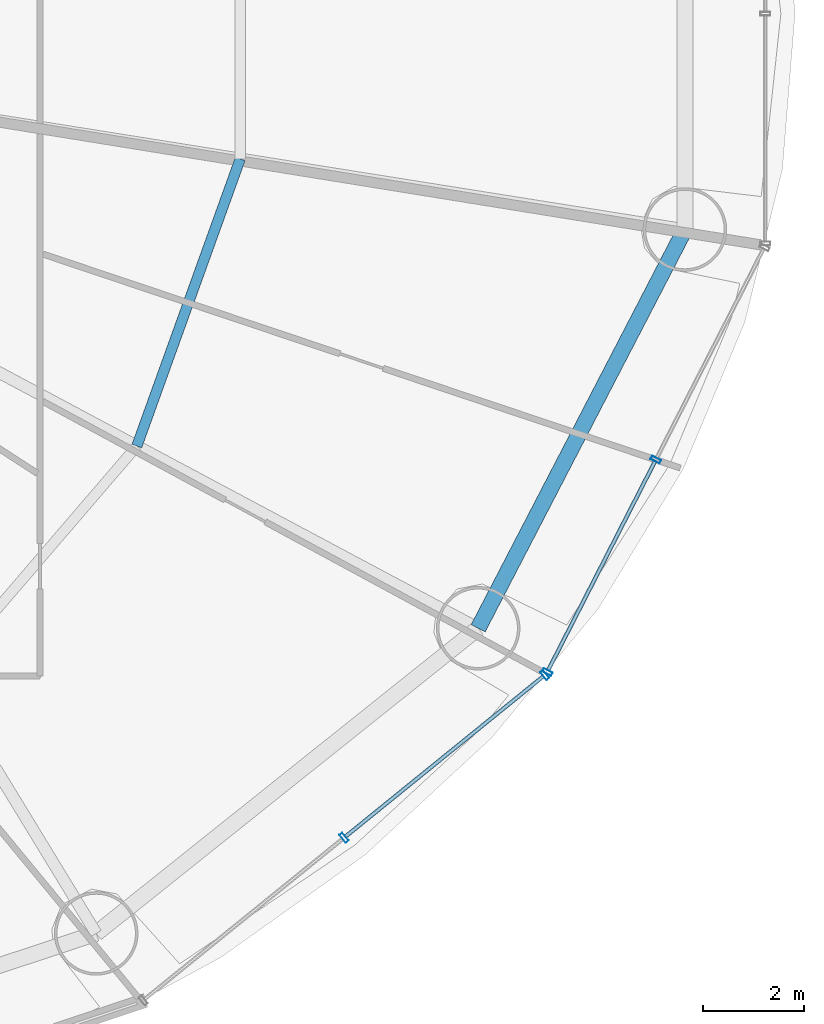
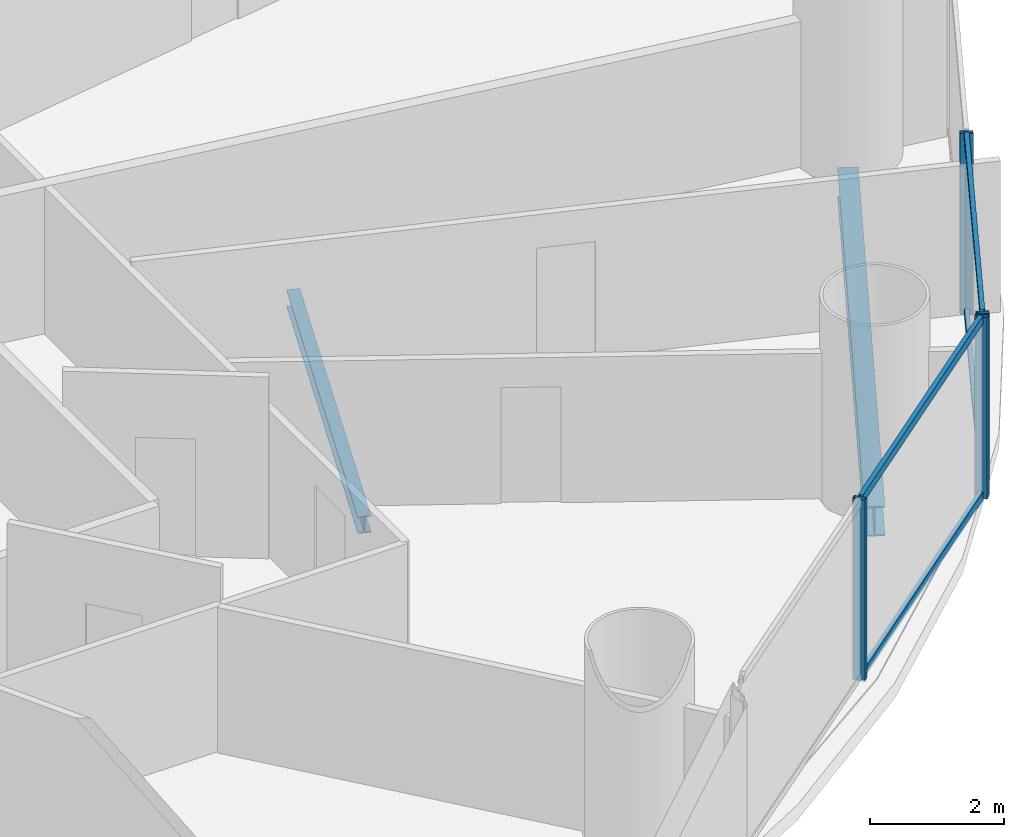
# One storey, part 12 of 30: 8 members, 2 beams, 2 elements without a shape of their own.
"""IFC4 building model written with IfcOpenShell, lengths in metres."""

from ifc_helpers import new_model, si_unit, direction, frame, origin, origin_2d, place, context, subcontext, project, spatial, hollow_rectangle, i_section, extrude, source, transform, mapped, material, material_profile, profile_set, type_object, element, aggregate, save


model = new_model("IFC4")

# Units and contexts
model_context = context("Model", 3, precision=1e-05, world=origin(), true_north=direction((-0.2419218956, 0.970295726276)))
body_context = subcontext(model_context, "Body", "Model", "MODEL_VIEW")
ifc_project = project(units=[si_unit("LENGTHUNIT", "METRE"), si_unit("AREAUNIT", "SQUARE_METRE"), si_unit("VOLUMEUNIT", "CUBIC_METRE"), si_unit("PLANEANGLEUNIT", "RADIAN"), si_unit("MASSUNIT", "GRAM", prefix="KILO")], contexts=[model_context])

# Site, building, storey
site_placement = place(None, origin())
site = spatial("IfcSite", under=ifc_project, at=site_placement, CompositionType="ELEMENT")
building_placement = place(site_placement, origin())
building = spatial("IfcBuilding", under=site, at=building_placement, Name="Cobrevalo Terracotta Tower", CompositionType="ELEMENT")
storey_placement = place(building_placement, frame((0.0, 0.0, 31.199951171875)))
storey = spatial("IfcBuildingStorey", under=building, at=storey_placement, Name="L07", CompositionType="ELEMENT", Elevation=31.199951171875)

# Beams
ifc_material_1 = material(Name="Steel S355", Category="steel")
ifc_material_profile_1 = material_profile(ifc_material_1, i_section(OverallWidth=0.2041015625, OverallDepth=0.305908203125, WebThickness=0.008544921875, FlangeThickness=0.0146484375, at=origin_2d()), Name="W 310x67")
ifc_profile_set_1 = profile_set([ifc_material_profile_1], Name="Steel S355")
beam_type_1 = type_object("IfcBeamType", Name="Structural Joist W 310x67 (Steel S355)", PredefinedType="JOIST", material=ifc_profile_set_1)
beam_1_placement = place(storey_placement, frame((53.997802734375, 18.26025390625, -0.432861328125), z_axis=(0.338672151116, 0.940904444701, 0.0), x_axis=(-0.940904444701, 0.338672151116, 0.0)))
element("IfcBeam", 1, at=beam_1_placement, inside=storey, type_object=beam_type_1, Name="L07 circumferential secondary floor joist 15", PredefinedType="JOIST", context=body_context, shape_type="SweptSolid", body=[
    extrude(i_section(OverallWidth=0.2041015625, OverallDepth=0.305908203125, WebThickness=0.008544921875, FlangeThickness=0.0146484375, at=origin_2d()), origin(), (0.0, 0.0, 1.0), 6.029296875),
])
ifc_material_profile_2 = material_profile(ifc_material_1, i_section(OverallWidth=0.31201171875, OverallDepth=0.54296875, WebThickness=0.0126953125, FlangeThickness=0.020263671875, at=origin_2d()), Name="W 530x150")
ifc_profile_set_2 = profile_set([ifc_material_profile_2], Name="Steel S355")
beam_type_2 = type_object("IfcBeamType", Name="Structural Spandrel W 530x150 (Steel S355)", PredefinedType="SPANDREL", material=ifc_profile_set_2)
beam_2_placement = place(storey_placement, frame((60.74072265625, 14.660888671875, -0.551513671875), z_axis=(0.460285838799, 0.88777077368, 0.0), x_axis=(-0.88777077368, 0.460285838799, 0.0)))
element("IfcBeam", 2, at=beam_2_placement, inside=storey, type_object=beam_type_2, Name="L07 perimeter ring spandrel 15", PredefinedType="SPANDREL", context=body_context, shape_type="SweptSolid", body=[
    extrude(i_section(OverallWidth=0.31201171875, OverallDepth=0.54296875, WebThickness=0.0126953125, FlangeThickness=0.020263671875, at=origin_2d()), origin(), (0.0, 0.0, 1.0), 8.8720703125),
])

# Curtain wall, members
ifc_material_2 = material(Name="Anodized aluminium", Category="aluminium")
curtain_wall_type = type_object("IfcCurtainWallType", Name="Lower-tower unitised acoustic low-E curtain wall CW-U1", PredefinedType="NOTDEFINED", material=ifc_material_2)
curtain_wall_1_placement = place(storey_placement, origin())
curtain_wall_1 = element("IfcCurtainWall", 3, at=curtain_wall_1_placement, inside=storey, type_object=curtain_wall_type, Name="L07 curtain wall CW-L07-S14", PredefinedType="NOTDEFINED")
ifc_material_profile_3 = material_profile(ifc_material_2, hollow_rectangle(XDim=0.074951171875, YDim=0.199951171875, WallThickness=0.0048828125, at=origin_2d()), Name="CWM 75x200")
ifc_profile_set_3 = profile_set([ifc_material_profile_3], Name="Anodized aluminium")
member_type_1 = type_object("IfcMemberType", Name="Lower/mid tower unitised mullion 75x200", PredefinedType="MULLION", material=ifc_profile_set_3)
shared_shape_1 = source(origin(), body_context, "Body", "SweptSolid", [
    extrude(hollow_rectangle(XDim=0.074951171875, YDim=0.199951171875, WallThickness=0.0048828125, at=origin_2d()), origin(), (0.0, 0.0, 1.0), 3.320068359375),
])
member_1_placement = place(storey_placement, frame((58.09130859375, 10.523193359375, 0.0), z_axis=(0.0, 0.0, 1.0), x_axis=(0.777003153187, 0.629496703675, 0.0)))
member_1 = element("IfcMember", 4, at=member_1_placement, type_object=member_type_1, Name="CW-L07-S14 vertical mullion 02", PredefinedType="MULLION", context=body_context, shape_type="MappedRepresentation", body=[
    mapped(shared_shape_1, transform((0.0, 0.0, 0.0), scale=1.0)),
])
member_2_placement = place(storey_placement, frame((62.056640625, 13.735595703125, 0.0), z_axis=(0.0, 0.0, 1.0), x_axis=(0.777003153187, 0.629496703675, 0.0)))
member_2 = element("IfcMember", 5, at=member_2_placement, type_object=member_type_1, Name="CW-L07-S14 vertical mullion 03", PredefinedType="MULLION", context=body_context, shape_type="MappedRepresentation", body=[
    mapped(shared_shape_1, transform((0.0, 0.0, 0.0), scale=1.0)),
])

curtain_wall_2_placement = place(storey_placement, origin())
curtain_wall_2 = element("IfcCurtainWall", 6, at=curtain_wall_2_placement, inside=storey, type_object=curtain_wall_type, Name="L07 curtain wall CW-L07-S15", PredefinedType="NOTDEFINED")
member_3_placement = place(storey_placement, frame((62.10595703125, 13.79638671875, 0.0), z_axis=(0.0, 0.0, 1.0), x_axis=(0.455234136597, 0.890371765543, 0.0)))
member_3 = element("IfcMember", 7, at=member_3_placement, type_object=member_type_1, Name="CW-L07-S15 vertical mullion 01", PredefinedType="MULLION", context=body_context, shape_type="MappedRepresentation", body=[
    mapped(shared_shape_1, transform((0.0, 0.0, 0.0), scale=1.0)),
])
member_4_placement = place(storey_placement, frame((64.25048828125, 17.990966796875, 0.0), z_axis=(0.0, 0.0, 1.0), x_axis=(0.455234136597, 0.890371765543, 0.0)))
member_4 = element("IfcMember", 8, at=member_4_placement, type_object=member_type_1, Name="CW-L07-S15 vertical mullion 02", PredefinedType="MULLION", context=body_context, shape_type="MappedRepresentation", body=[
    mapped(shared_shape_1, transform((0.0, 0.0, 0.0), scale=1.0)),
])

# Member
ifc_material_profile_4 = material_profile(ifc_material_2, hollow_rectangle(XDim=0.074951171875, YDim=0.14990234375, WallThickness=0.00439453125, at=origin_2d()), Name="CWT 75x150")
ifc_profile_set_4 = profile_set([ifc_material_profile_4], Name="Anodized aluminium")
member_type_2 = type_object("IfcMemberType", Name="Tower unitised aluminium transom 75x150", PredefinedType="USERDEFINED", material=ifc_profile_set_4)
shared_shape_2 = source(origin(), body_context, "Body", "SweptSolid", [
    extrude(hollow_rectangle(XDim=0.074951171875, YDim=0.14990234375, WallThickness=0.00439453125, at=origin_2d()), origin(), (0.0, 0.0, 1.0), 5.0234375),
])
member_5_placement = place(storey_placement, frame((58.122314453125, 10.54833984375, 0.050048828125), z_axis=(0.777022991593, 0.629472215857, 0.0), x_axis=(-0.629472215857, 0.777022991593, 0.0)))
member_5 = element("IfcMember", 9, at=member_5_placement, type_object=member_type_2, Name="CW-L07-S14 transom B02-T1", ObjectType="TRANSOM", PredefinedType="USERDEFINED", context=body_context, shape_type="MappedRepresentation", body=[
    mapped(shared_shape_2, transform((0.0, 0.0, 0.0), scale=1.0)),
])

member_6_placement = place(storey_placement, frame((58.122314453125, 10.54833984375, 3.27001953125), z_axis=(0.777022991593, 0.629472215857, 0.0), x_axis=(-0.629472215857, 0.777022991593, 0.0)))
member_6 = element("IfcMember", 10, at=member_6_placement, type_object=member_type_2, Name="CW-L07-S14 transom B02-T2", ObjectType="TRANSOM", PredefinedType="USERDEFINED", context=body_context, shape_type="MappedRepresentation", body=[
    mapped(shared_shape_2, transform((0.0, 0.0, 0.0), scale=1.0)),
])

aggregate(curtain_wall_1, [member_1, member_2, member_5, member_6])

shared_shape_3 = source(origin(), body_context, "Body", "SweptSolid", [
    extrude(hollow_rectangle(XDim=0.074951171875, YDim=0.14990234375, WallThickness=0.00439453125, at=origin_2d()), origin(), (0.0, 0.0, 1.0), 4.631103515625),
])
member_7_placement = place(storey_placement, frame((62.1240234375, 13.83203125, 0.050048828125), z_axis=(0.455271744945, 0.89035253594, 0.0), x_axis=(-0.89035253594, 0.455271744945, 0.0)))
member_7 = element("IfcMember", 11, at=member_7_placement, type_object=member_type_2, Name="CW-L07-S15 transom B01-T1", ObjectType="TRANSOM", PredefinedType="USERDEFINED", context=body_context, shape_type="MappedRepresentation", body=[
    mapped(shared_shape_3, transform((0.0, 0.0, 0.0), scale=1.0)),
])

member_8_placement = place(storey_placement, frame((62.1240234375, 13.83203125, 3.27001953125), z_axis=(0.455271744945, 0.89035253594, 0.0), x_axis=(-0.89035253594, 0.455271744945, 0.0)))
member_8 = element("IfcMember", 12, at=member_8_placement, type_object=member_type_2, Name="CW-L07-S15 transom B01-T2", ObjectType="TRANSOM", PredefinedType="USERDEFINED", context=body_context, shape_type="MappedRepresentation", body=[
    mapped(shared_shape_3, transform((0.0, 0.0, 0.0), scale=1.0)),
])

aggregate(curtain_wall_2, [member_3, member_4, member_7, member_8])

save(model, "model.ifc")
